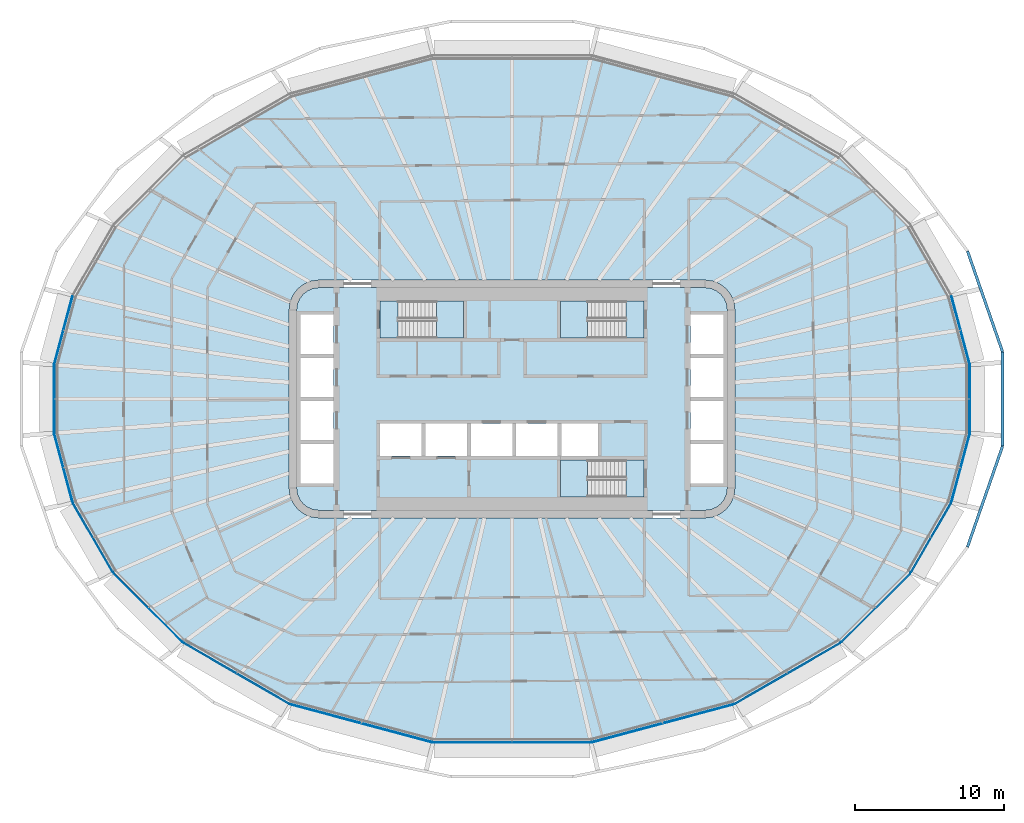
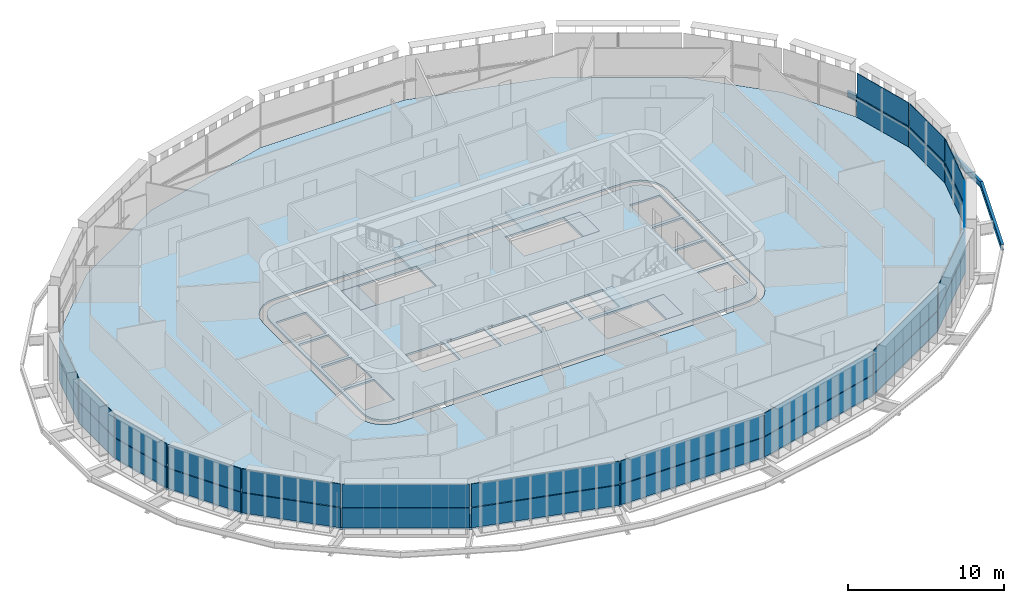
# One storey, part 9 of 22: 30 plates, 8 slabs, 3 beams, 18 elements without a shape of their own.
"""IFC4 building model written with IfcOpenShell, lengths in metres."""

import ifcopenshell
import ifcopenshell.guid

model = None  # the IFC model being written
_history = None  # IfcOwnerHistory: only IFC2X3 demands one
_inside = {}  # id of a spatial element -> (the spatial element, [elements in it])
_under = {}  # id of a project, library or spatial element -> (it, [spatial elements below it])
_declared = {}  # id of a project -> (the project, [libraries it declares])
_typed = {}  # id of a type object -> (the type object, [elements of that type])
_made_of = {}  # id of a material, layer set ... -> (it, [elements and type objects made of it])


def new_model(schema):
    """Start an empty IFC model of exactly this schema.

    Asked for "IFC4X3", IfcOpenShell would pick the latest addendum, in which some entities
    have other attributes; the version numbers below select the first issue.
    IFC2X3 requires an IfcOwnerHistory on every rooted entity: one is made here for all.
    """
    global model, _history
    if schema == "IFC4X3":
        model = ifcopenshell.file(schema_version=(4, 3, 0, 0))
    else:
        model = ifcopenshell.file(schema=schema)
    _inside.clear()
    _under.clear()
    _declared.clear()
    _typed.clear()
    _made_of.clear()
    _history = None
    if model.schema == "IFC2X3":
        org = make("IfcOrganization", Name="unknown")
        user = make(
            "IfcPersonAndOrganization",
            ThePerson=make("IfcPerson", FamilyName="unknown"),
            TheOrganization=org,
        )
        app = make(
            "IfcApplication",
            ApplicationDeveloper=org,
            Version="unknown",
            ApplicationFullName="unknown",
            ApplicationIdentifier="unknown",
        )
        _history = make(
            "IfcOwnerHistory",
            OwningUser=user,
            OwningApplication=app,
            ChangeAction="ADDED",
            CreationDate=0,
        )
    return model


def make(cls, **values):
    """One entity of the class cls with the attributes given. An attribute that is None is left unset."""
    return model.create_entity(
        cls, **{name: value for name, value in values.items() if value is not None}
    )


def rooted(cls, **values):
    """An entity with a GlobalId (a new one), such as an element, a storey or a relation."""
    return make(cls, GlobalId=ifcopenshell.guid.new(), OwnerHistory=_history, **values)


def si_unit(unit_type, name, prefix=None):
    """IfcSIUnit, for example si_unit("LENGTHUNIT", "METRE", prefix="MILLI")."""
    return make("IfcSIUnit", UnitType=unit_type, Prefix=prefix, Name=name)


def assignment(units):
    """IfcUnitAssignment: the units of a project."""
    return None if units is None else make("IfcUnitAssignment", Units=units)


def point(xyz):
    """IfcCartesianPoint."""
    return None if xyz is None else make("IfcCartesianPoint", Coordinates=xyz)


def direction(xyz):
    """IfcDirection."""
    return None if xyz is None else make("IfcDirection", DirectionRatios=xyz)


def frame(location, z_axis=None, x_axis=None):
    """IfcAxis2Placement3D, a coordinate frame: its origin and axes. An axis left out is left unset."""
    return make(
        "IfcAxis2Placement3D",
        Location=point(location),
        Axis=direction(z_axis),
        RefDirection=direction(x_axis),
    )


def frame_2d(location, x_axis=None):
    """IfcAxis2Placement2D, a coordinate frame in the plane: its origin and x axis."""
    return make(
        "IfcAxis2Placement2D", Location=point(location), RefDirection=direction(x_axis)
    )


def origin():
    """The frame at (0, 0, 0) with its axes left unset."""
    return frame((0.0, 0.0, 0.0))


def origin_2d():
    """The frame at (0, 0) in the plane with its x axis left unset."""
    return frame_2d((0.0, 0.0))


def place(relative_to, where):
    """IfcLocalPlacement: puts the frame where relative to a parent placement (None: the world)."""
    return make(
        "IfcLocalPlacement", PlacementRelTo=relative_to, RelativePlacement=where
    )


def context(
    kind, dimensions, precision=None, world=None, true_north=None, identifier=None
):
    """IfcGeometricRepresentationContext, for example the 3D "Model" context."""
    return make(
        "IfcGeometricRepresentationContext",
        ContextIdentifier=identifier,
        ContextType=kind,
        CoordinateSpaceDimension=dimensions,
        Precision=precision,
        WorldCoordinateSystem=world,
        TrueNorth=true_north,
    )


def subcontext(parent, identifier, kind, view, scale=None):
    """IfcGeometricRepresentationSubContext, for example "Body" below "Model"."""
    return make(
        "IfcGeometricRepresentationSubContext",
        ContextIdentifier=identifier,
        ContextType=kind,
        ParentContext=parent,
        TargetScale=scale,
        TargetView=view,
    )


def project(units=None, contexts=None):
    """IfcProject with its units and contexts."""
    return rooted(
        "IfcProject",
        Name="project",
        RepresentationContexts=contexts,
        UnitsInContext=assignment(units),
    )


def spatial(cls, under=None, at=None, **own):
    """A site, building, storey or space (cls), placed at a placement, below another one or the project."""
    s = rooted(cls, ObjectPlacement=at, **own)
    if under is not None:
        _under.setdefault(under.id(), (under, []))[1].append(s)
    return s


def polyline(points):
    """IfcPolyline through the points."""
    return make("IfcPolyline", Points=[point(p) for p in points])


def profile(cls, at=None, kind="AREA", **sizes):
    """A parametric profile (cls). Its sizes go by their IFC names, for example OverallWidth=200.0."""
    return make(cls, ProfileType=kind, Position=at, **sizes)


def i_section(**sizes):
    """IfcIShapeProfileDef."""
    return profile("IfcIShapeProfileDef", **sizes)


def outline(outer, holes=None, kind="AREA"):
    """IfcArbitraryClosedProfileDef: a profile drawn as a closed curve; with holes, ...WithVoids."""
    if holes is None:
        return make("IfcArbitraryClosedProfileDef", ProfileType=kind, OuterCurve=outer)
    return make(
        "IfcArbitraryProfileDefWithVoids",
        ProfileType=kind,
        OuterCurve=outer,
        InnerCurves=holes,
    )


def extrude(swept, where, along, depth):
    """IfcExtrudedAreaSolid: the profile swept, set in the frame where, extruded along a direction by depth."""
    return make(
        "IfcExtrudedAreaSolid",
        SweptArea=swept,
        Position=where,
        ExtrudedDirection=direction(along),
        Depth=depth,
    )


def shape(context_of_items, identifier, shape_type, items):
    """IfcShapeRepresentation: the items that make up one representation, for example the "Body"."""
    return make(
        "IfcShapeRepresentation",
        ContextOfItems=context_of_items,
        RepresentationIdentifier=identifier,
        RepresentationType=shape_type,
        Items=items,
    )


def material(Name=None, Category=None):
    """IfcMaterial."""
    return make("IfcMaterial", Name=Name, Category=Category)


def layer(
    of_material, thickness, ventilated=None, Name=None, Category=None, Priority=None
):
    """IfcMaterialLayer: one layer of a wall or slab, of a material (None: an air gap)."""
    return make(
        "IfcMaterialLayer",
        Material=of_material,
        LayerThickness=thickness,
        IsVentilated=ventilated,
        Name=Name,
        Category=Category,
        Priority=Priority,
    )


def layer_set(layers, Name=None):
    """IfcMaterialLayerSet."""
    return make("IfcMaterialLayerSet", MaterialLayers=layers, LayerSetName=Name)


def material_profile(
    of_material, cross_section, Name=None, Category=None, Priority=None
):
    """IfcMaterialProfile: a cross section and its material."""
    return make(
        "IfcMaterialProfile",
        Name=Name,
        Material=of_material,
        Profile=cross_section,
        Priority=Priority,
        Category=Category,
    )


def profile_set(profiles, Name=None, composite=None):
    """IfcMaterialProfileSet."""
    return make(
        "IfcMaterialProfileSet",
        Name=Name,
        MaterialProfiles=profiles,
        CompositeProfile=composite,
    )


def made_of(thing, what):
    """Note that an element or type object is made of a material, layer set ...; save() writes the relation."""
    if what is not None:
        _made_of.setdefault(what.id(), (what, []))[1].append(thing)
    return thing


def type_object(cls, material=None, **own):
    """A type object (cls), such as IfcWallType, which elements share."""
    return made_of(rooted(cls, **own), material)


def element(
    cls,
    number,
    at=None,
    inside=None,
    cuts=None,
    type_object=None,
    material=None,
    context=None,
    identifier="Body",
    shape_type=None,
    held_by="IfcProductDefinitionShape",
    body=None,
    shapes=None,
    **own,
):
    """One element of the class cls, such as IfcWall. Its Tag is "e" and its number.

    at: its placement. inside: the storey or other place that contains it. cuts: it is an
    opening in that element (IfcRelVoidsElement). A single representation is given by context,
    identifier, shape_type and body (its items); several are given by shapes. held_by: the class
    of the entity that holds the representations. save() writes the other relations.
    """
    e = rooted(cls, Tag="e%d" % number, ObjectPlacement=at, **own)
    if body is not None:
        shapes = [shape(context, identifier, shape_type, body)]
    if shapes is not None:
        e.Representation = make(held_by, Representations=shapes)
    if inside is not None:
        _inside.setdefault(inside.id(), (inside, []))[1].append(e)
    if cuts is not None:
        rooted(
            "IfcRelVoidsElement", RelatingBuildingElement=cuts, RelatedOpeningElement=e
        )
    if type_object is not None:
        _typed.setdefault(type_object.id(), (type_object, []))[1].append(e)
    return made_of(e, material)


def aggregate(whole, parts):
    """IfcRelAggregates: a whole, such as a stair, and the parts it consists of."""
    return rooted("IfcRelAggregates", RelatingObject=whole, RelatedObjects=parts)


def save(model, path):
    """Write the relations noted so far, then the file.

    IfcRelAggregates (storeys below a building ...), IfcRelContainedInSpatialStructure (elements
    in a storey), IfcRelDefinesByType, IfcRelAssociatesMaterial and IfcRelDeclares: one each for
    every whole, place, type object, material and project.
    """
    for whole, parts in _under.values():
        aggregate(whole, parts)
    for where, things in _inside.values():
        rooted(
            "IfcRelContainedInSpatialStructure",
            RelatedElements=things,
            RelatingStructure=where,
        )
    for kind, things in _typed.values():
        rooted("IfcRelDefinesByType", RelatedObjects=things, RelatingType=kind)
    for what, things in _made_of.values():
        rooted("IfcRelAssociatesMaterial", RelatedObjects=things, RelatingMaterial=what)
    for by, libraries in _declared.values():
        rooted("IfcRelDeclares", RelatingContext=by, RelatedDefinitions=libraries)
    model.write(path)


model = new_model("IFC4")

# Units and contexts
model_context = context("Model", 3, precision=1e-05, world=origin(), true_north=direction((0.0, 1.0)))
body_context = subcontext(model_context, "Body", "Model", "MODEL_VIEW")
ifc_project = project(units=[si_unit("LENGTHUNIT", "METRE"), si_unit("AREAUNIT", "SQUARE_METRE"), si_unit("VOLUMEUNIT", "CUBIC_METRE"), si_unit("PLANEANGLEUNIT", "RADIAN"), si_unit("MASSUNIT", "GRAM", prefix="KILO")], contexts=[model_context])

# Site, building, storey
site_placement = place(None, origin())
site = spatial("IfcSite", under=ifc_project, at=site_placement, CompositionType="ELEMENT")
building_placement = place(site_placement, origin())
building = spatial("IfcBuilding", under=site, at=building_placement, Name="Sahrelin Media Tower", CompositionType="ELEMENT")
storey_placement = place(building_placement, frame((0.0, 0.0, 189.60009765625)))
storey = spatial("IfcBuildingStorey", under=building, at=storey_placement, Name="L40", CompositionType="ELEMENT", Elevation=189.60009765625)

# Beams
ifc_material_1 = material(Name="Steel S355", Category="steel")
ifc_material_profile = material_profile(ifc_material_1, i_section(OverallWidth=0.1904296875, OverallDepth=0.45703125, WebThickness=0.009033203125, FlangeThickness=0.014404296875, FilletRadius=0.01025390625, at=origin_2d()), Name="UB 457x191x74")
ifc_profile_set = profile_set([ifc_material_profile], Name="Steel S355")
beam_type = type_object("IfcBeamType", Name="Tie chord TC5", PredefinedType="BEAM", material=ifc_profile_set)
for number, where, z_axis, x_axis, name in (
    (1, (33.01806640625, 3.172119140625, -0.378662109375), (-0.32877488507, 0.944408320033, 0.0), (-0.944408320033, -0.32877488507, 0.0), "Tie chord L40-01"),
    (2, (30.655029296875, -9.9599609375, -0.378662109375), (0.32877488507, 0.944408320033, 0.0), (-0.944408320033, 0.32877488507, 0.0), "Tie chord L40-23"),
):
    element("IfcBeam", number, at=place(storey_placement, frame(where, z_axis=z_axis, x_axis=x_axis)), inside=storey, type_object=beam_type, Name=name, PredefinedType="BEAM", context=body_context, shape_type="SweptSolid", body=[
        extrude(i_section(OverallWidth=0.1904296875, OverallDepth=0.45703125, WebThickness=0.009033203125, FlangeThickness=0.014404296875, FilletRadius=0.01025390625, at=origin_2d()), origin(), (0.0, 0.0, 1.0), 7.1875),
    ])
beam_placement = place(storey_placement, frame((33.01806640625, -3.172119140625, -0.378662109375), z_axis=(0.0, 1.0, 0.0), x_axis=(-1.0, 0.0, 0.0)))
element("IfcBeam", 3, at=beam_placement, inside=storey, type_object=beam_type, Name="Tie chord L40-24", PredefinedType="BEAM", context=body_context, shape_type="SweptSolid", body=[
    extrude(i_section(OverallWidth=0.1904296875, OverallDepth=0.45703125, WebThickness=0.009033203125, FlangeThickness=0.014404296875, FilletRadius=0.01025390625, at=origin_2d()), origin(), (0.0, 0.0, 1.0), 6.34423828125),
])

# Slabs
ifc_material_2 = material(Name="Concrete C40/50", Category="concrete")
ifc_layer_1 = layer(ifc_material_2, 0.14990234375)
ifc_layer_set_1 = layer_set([ifc_layer_1], Name="Composite floor slab 150")
slab_type_1 = type_object("IfcSlabType", Name="Composite floor slab 150", PredefinedType="FLOOR", material=ifc_layer_set_1)
placement_1 = place(storey_placement, frame((0.0, 0.0, -0.150146484375)))
element("IfcSlab", 4, at=placement_1, inside=storey, type_object=slab_type_1, Name="Floor slab L40", PredefinedType="FLOOR", context=body_context, shape_type="SweptSolid", body=[
    extrude(outline(polyline([(30.807373046875, -2.29931640625), (30.807373046875, 2.29931640625), (29.5625, 6.94482421875), (26.82568359375, 11.685302734375), (22.12158203125, 16.38916015625), (14.939208984375, 20.535888671875), (5.3369140625, 23.10888671875), (-5.3369140625, 23.10888671875), (-14.939208984375, 20.535888671875), (-22.12158203125, 16.38916015625), (-26.82568359375, 11.685302734375), (-29.5625, 6.94482421875), (-30.807373046875, 2.29931640625), (-30.807373046875, -2.29931640625), (-29.5625, -6.94482421875), (-26.82568359375, -11.685302734375), (-22.12158203125, -16.38916015625), (-14.939208984375, -20.535888671875), (-5.3369140625, -23.10888671875), (5.3369140625, -23.10888671875), (14.939208984375, -20.535888671875), (22.12158203125, -16.38916015625), (26.82568359375, -11.685302734375), (29.5625, -6.94482421875), (30.807373046875, -2.29931640625)]), holes=[polyline([(14.931884765625, 6.517578125), (15.0, 6.0), (15.0, -6.0), (14.931884765625, -6.517578125), (14.732177734375, -7.0), (14.414306640625, -7.414306640625), (14.0, -7.732177734375), (13.517578125, -7.931884765625), (13.0, -8.0), (-13.0, -8.0), (-13.517578125, -7.931884765625), (-14.0, -7.732177734375), (-14.414306640625, -7.414306640625), (-14.732177734375, -7.0), (-14.931884765625, -6.517578125), (-15.0, -6.0), (-15.0, 6.0), (-14.931884765625, 6.517578125), (-14.732177734375, 7.0), (-14.414306640625, 7.414306640625), (-14.0, 7.732177734375), (-13.517578125, 7.931884765625), (-13.0, 8.0), (13.0, 8.0), (13.517578125, 7.931884765625), (14.0, 7.732177734375), (14.414306640625, 7.414306640625), (14.732177734375, 7.0), (14.931884765625, 6.517578125)])]), origin(), (0.0, 0.0, 1.0), 0.150146484375),
])
ifc_layer_2 = layer(ifc_material_2, 0.14990234375)
ifc_layer_set_2 = layer_set([ifc_layer_2], Name="Core floor slab 150")
slab_type_2 = type_object("IfcSlabType", Name="Core floor slab 150", PredefinedType="FLOOR", material=ifc_layer_set_2)
element("IfcSlab", 5, at=placement_1, inside=storey, type_object=slab_type_2, Name="Core floor", PredefinedType="FLOOR", context=body_context, shape_type="SweptSolid", body=[
    extrude(outline(polyline([(-14.44482421875, 6.38720703125), (-14.5, 5.96728515625), (-14.5, -5.96728515625), (-14.44482421875, -6.38720703125), (-14.29541015625, -6.747802734375), (-14.0576171875, -7.0576171875), (-13.747802734375, -7.29541015625), (-13.38720703125, -7.44482421875), (-12.96728515625, -7.5), (12.96728515625, -7.5), (13.38720703125, -7.44482421875), (13.747802734375, -7.29541015625), (14.0576171875, -7.0576171875), (14.29541015625, -6.747802734375), (14.44482421875, -6.38720703125), (14.5, -5.96728515625), (14.5, 5.96728515625), (14.44482421875, 6.38720703125), (14.29541015625, 6.747802734375), (14.0576171875, 7.0576171875), (13.747802734375, 7.29541015625), (13.38720703125, 7.44482421875), (12.96728515625, 7.5), (-12.96728515625, 7.5), (-13.38720703125, 7.44482421875), (-13.747802734375, 7.29541015625), (-14.0576171875, 7.0576171875), (-14.29541015625, 6.747802734375), (-14.44482421875, 6.38720703125)]), holes=[polyline([(-12.0, 3.02490234375), (-12.0, 5.675048828125), (-14.25, 5.675048828125), (-14.25, 3.02490234375), (-12.0, 3.02490234375)]), polyline([(-14.25, 0.125), (-12.0, 0.125), (-12.0, 2.77490234375), (-14.25, 2.77490234375), (-14.25, 0.125)]), polyline([(-14.25, -0.125), (-14.25, -2.77490234375), (-12.0, -2.77490234375), (-12.0, -0.125), (-14.25, -0.125)]), polyline([(-12.0, -3.02490234375), (-14.25, -3.02490234375), (-14.25, -5.675048828125), (-12.0, -5.675048828125), (-12.0, -3.02490234375)]), polyline([(14.25, 3.02490234375), (14.25, 5.675048828125), (12.0, 5.675048828125), (12.0, 3.02490234375), (14.25, 3.02490234375)]), polyline([(12.0, 0.125), (14.25, 0.125), (14.25, 2.77490234375), (12.0, 2.77490234375), (12.0, 0.125)]), polyline([(12.0, -0.125), (12.0, -2.77490234375), (14.25, -2.77490234375), (14.25, -0.125), (12.0, -0.125)]), polyline([(14.25, -3.02490234375), (12.0, -3.02490234375), (12.0, -5.675048828125), (14.25, -5.675048828125), (14.25, -3.02490234375)]), polyline([(-6.074951171875, -3.85009765625), (-6.074951171875, -1.64990234375), (-8.875, -1.64990234375), (-8.875, -3.85009765625), (-6.074951171875, -3.85009765625)]), polyline([(-5.824951171875, -3.85009765625), (-3.02490234375, -3.85009765625), (-3.02490234375, -1.64990234375), (-5.824951171875, -1.64990234375), (-5.824951171875, -3.85009765625)]), polyline([(-2.77490234375, -1.64990234375), (-2.77490234375, -3.85009765625), (0.02490234375, -3.85009765625), (0.02490234375, -1.64990234375), (-2.77490234375, -1.64990234375)]), polyline([(3.074951171875, -1.64990234375), (0.27490234375, -1.64990234375), (0.27490234375, -3.85009765625), (3.074951171875, -3.85009765625), (3.074951171875, -1.64990234375)]), polyline([(5.77490234375, -3.85009765625), (5.77490234375, -1.64990234375), (3.324951171875, -1.64990234375), (3.324951171875, -3.85009765625), (5.77490234375, -3.85009765625)]), polyline([(-8.875, 6.60009765625), (-8.875, 4.10009765625), (-3.27490234375, 4.10009765625), (-3.27490234375, 6.60009765625), (-8.875, 6.60009765625)]), polyline([(3.27490234375, 4.10009765625), (8.875, 4.10009765625), (8.875, 6.60009765625), (3.27490234375, 6.60009765625), (3.27490234375, 4.10009765625)]), polyline([(3.27490234375, -4.10009765625), (3.27490234375, -6.60009765625), (8.875, -6.60009765625), (8.875, -4.10009765625), (3.27490234375, -4.10009765625)])]), origin(), (0.0, 0.0, 1.0), 0.150146484375),
])

# Curtain wall, plate
ifc_material_3 = material(Name="Champagne anodised aluminium 6063-T6", Category="aluminium")
ifc_layer_3 = layer(ifc_material_3, 0.14990234375)
ifc_layer_set_3 = layer_set([ifc_layer_3], Name="Tower ribbon curtain wall")
curtain_wall_type = type_object("IfcCurtainWallType", Name="Tower ribbon curtain wall", PredefinedType="NOTDEFINED", material=ifc_layer_set_3)
curtain_wall_1_placement = place(storey_placement, frame((30.827392578125, 0.0, 0.0), z_axis=(0.0, 0.0, 1.0), x_axis=(1.0, 0.0, 0.0)))
curtain_wall_1 = element("IfcCurtainWall", 6, at=curtain_wall_1_placement, inside=storey, type_object=curtain_wall_type, Name="L40:CW:L40-00", PredefinedType="NOTDEFINED")
ifc_material_4 = material(Name="Clear low-iron glazing", Category="glass")
ifc_layer_4 = layer(ifc_material_4, 0.0439453125)
ifc_layer_set_4 = layer_set([ifc_layer_4], Name="Glazing panel 44 mm CW1B")
plate_type_1 = type_object("IfcPlateType", Name="Glazing panel 44 mm CW1B", PredefinedType="CURTAIN_PANEL", material=ifc_layer_set_4)
plate_1_placement = place(storey_placement, frame((30.847412109375, -2.251708984375, 1.6298828125), z_axis=(1.0, 0.0, 0.0), x_axis=(0.0, 1.0, 0.0)))
plate_1 = element("IfcPlate", 7, at=plate_1_placement, type_object=plate_type_1, Name="L40:CWP2:L40-00", PredefinedType="CURTAIN_PANEL", context=body_context, shape_type="SweptSolid", body=[
    extrude(outline(polyline([(0.0, 0.0), (4.50341796875, 0.0), (4.50341796875, 1.818603515625), (0.0, 1.818603515625), (0.0, 0.0)])), origin(), (0.0, 0.0, -1.0), 0.0439453125),
])

curtain_wall_2_placement = place(storey_placement, frame((30.2041015625, 4.627197265625, 0.0), z_axis=(0.0, 0.0, 1.0), x_axis=(1.0, 0.0, 0.0)))
curtain_wall_2 = element("IfcCurtainWall", 8, at=curtain_wall_2_placement, inside=storey, type_object=curtain_wall_type, Name="L40:CW:L40-01", PredefinedType="NOTDEFINED")
plate_2_placement = place(storey_placement, frame((30.833740234375, 2.355224609375, 1.6298828125), z_axis=(0.96591707785, 0.258851692515, 0.0), x_axis=(-0.258851692515, 0.96591707785, 0.0)))
plate_2 = element("IfcPlate", 9, at=plate_2_placement, type_object=plate_type_1, Name="L40:CWP2:L40-01", PredefinedType="CURTAIN_PANEL", context=body_context, shape_type="SweptSolid", body=[
    extrude(outline(polyline([(0.0, 0.0), (4.71484375, 0.0), (4.71484375, 1.818603515625), (0.0, 1.818603515625), (0.0, 0.0)])), origin(), (0.0, 0.0, -1.0), 0.0439453125),
])

curtain_wall_3_placement = place(storey_placement, frame((-30.2041015625, 4.627197265625, 0.0), z_axis=(0.0, 0.0, 1.0), x_axis=(1.0, 0.0, 0.0)))
curtain_wall_3 = element("IfcCurtainWall", 10, at=curtain_wall_3_placement, inside=storey, type_object=curtain_wall_type, Name="L40:CW:L40-11", PredefinedType="NOTDEFINED")
plate_3_placement = place(storey_placement, frame((-29.61328125, 6.909423828125, 1.6298828125), z_axis=(-0.96591707785, 0.258851692515, 0.0), x_axis=(-0.258851692515, -0.96591707785, 0.0)))
plate_3 = element("IfcPlate", 11, at=plate_3_placement, type_object=plate_type_1, Name="L40:CWP2:L40-11", PredefinedType="CURTAIN_PANEL", context=body_context, shape_type="SweptSolid", body=[
    extrude(outline(polyline([(0.0, 0.0), (4.71484375, 0.0), (4.71484375, 1.818603515625), (0.0, 1.818603515625), (0.0, 0.0)])), origin(), (0.0, 0.0, -1.0), 0.0439453125),
])

curtain_wall_4_placement = place(storey_placement, frame((-30.827392578125, 0.0, 0.0), z_axis=(0.0, 0.0, 1.0), x_axis=(1.0, 0.0, 0.0)))
curtain_wall_4 = element("IfcCurtainWall", 12, at=curtain_wall_4_placement, inside=storey, type_object=curtain_wall_type, Name="L40:CW:L40-12", PredefinedType="NOTDEFINED")
plate_4_placement = place(storey_placement, frame((-30.847412109375, 2.251708984375, 1.6298828125), z_axis=(-1.0, 0.0, 0.0), x_axis=(0.0, -1.0, 0.0)))
plate_4 = element("IfcPlate", 13, at=plate_4_placement, type_object=plate_type_1, Name="L40:CWP2:L40-12", PredefinedType="CURTAIN_PANEL", context=body_context, shape_type="SweptSolid", body=[
    extrude(outline(polyline([(0.0, 0.0), (4.50341796875, 0.0), (4.50341796875, 1.818603515625), (0.0, 1.818603515625), (0.0, 0.0)])), origin(), (0.0, 0.0, -1.0), 0.0439453125),
])

curtain_wall_5_placement = place(storey_placement, frame((-30.2041015625, -4.627197265625, 0.0), z_axis=(0.0, 0.0, 1.0), x_axis=(1.0, 0.0, 0.0)))
curtain_wall_5 = element("IfcCurtainWall", 14, at=curtain_wall_5_placement, inside=storey, type_object=curtain_wall_type, Name="L40:CW:L40-13", PredefinedType="NOTDEFINED")
plate_5_placement = place(storey_placement, frame((-30.833740234375, -2.355224609375, 1.6298828125), z_axis=(-0.96591707785, -0.258851692515, 0.0), x_axis=(0.258851692515, -0.96591707785, 0.0)))
plate_5 = element("IfcPlate", 15, at=plate_5_placement, type_object=plate_type_1, Name="L40:CWP2:L40-13", PredefinedType="CURTAIN_PANEL", context=body_context, shape_type="SweptSolid", body=[
    extrude(outline(polyline([(0.0, 0.0), (4.71484375, 0.0), (4.71484375, 1.818603515625), (0.0, 1.818603515625), (0.0, 0.0)])), origin(), (0.0, 0.0, -1.0), 0.0439453125),
])

curtain_wall_6_placement = place(storey_placement, frame((-28.211181640625, -9.324951171875, 0.0), z_axis=(0.0, 0.0, 1.0), x_axis=(1.0, 0.0, 0.0)))
curtain_wall_6 = element("IfcCurtainWall", 16, at=curtain_wall_6_placement, inside=storey, type_object=curtain_wall_type, Name="L40:CW:L40-14", PredefinedType="NOTDEFINED")
plate_6_placement = place(storey_placement, frame((-29.573486328125, -7.005859375, 1.6298828125), z_axis=(-0.866014014495, -0.500019726309, 0.0), x_axis=(0.500019726309, -0.866014014495, 0.0)))
plate_6 = element("IfcPlate", 17, at=plate_6_placement, type_object=plate_type_1, Name="L40:CWP2:L40-14", PredefinedType="CURTAIN_PANEL", context=body_context, shape_type="SweptSolid", body=[
    extrude(outline(polyline([(0.0, 0.0), (5.379150390625, 0.0), (5.379150390625, 1.818603515625), (0.0, 1.818603515625), (0.0, 0.0)])), origin(), (0.0, 0.0, -1.0), 0.0439453125),
])

curtain_wall_7_placement = place(storey_placement, frame((-24.48779296875, -14.05126953125, 0.0), z_axis=(0.0, 0.0, 1.0), x_axis=(1.0, 0.0, 0.0)))
curtain_wall_7 = element("IfcCurtainWall", 18, at=curtain_wall_7_placement, inside=storey, type_object=curtain_wall_type, Name="L40:CW:L40-15", PredefinedType="NOTDEFINED")
plate_7_placement = place(storey_placement, frame((-26.8203125, -11.7470703125, 1.6298828125), z_axis=(-0.707106781187, -0.707106781187, 0.0), x_axis=(0.707106781187, -0.707106781187, 0.0)))
plate_7 = element("IfcPlate", 19, at=plate_7_placement, type_object=plate_type_1, Name="L40:CWP2:L40-15", PredefinedType="CURTAIN_PANEL", context=body_context, shape_type="SweptSolid", body=[
    extrude(outline(polyline([(0.0, 0.0), (6.557373046875, 0.0), (6.557373046875, 1.818603515625), (0.0, 1.818603515625), (0.0, 0.0)])), origin(), (0.0, 0.0, -1.0), 0.0439453125),
])

curtain_wall_8_placement = place(storey_placement, frame((-18.540283203125, -18.479736328125, 0.0), z_axis=(0.0, 0.0, 1.0), x_axis=(1.0, 0.0, 0.0)))
curtain_wall_8 = element("IfcCurtainWall", 20, at=curtain_wall_8_placement, inside=storey, type_object=curtain_wall_type, Name="L40:CW:L40-16", PredefinedType="NOTDEFINED")
plate_8_placement = place(storey_placement, frame((-22.1005859375, -16.447509765625, 1.6298828125), z_axis=(-0.499998260706, -0.866026407964, 0.0), x_axis=(0.866026407964, -0.499998260706, 0.0)))
plate_8 = element("IfcPlate", 21, at=plate_8_placement, type_object=plate_type_1, Name="L40:CWP2:L40-16", PredefinedType="CURTAIN_PANEL", context=body_context, shape_type="SweptSolid", body=[
    extrude(outline(polyline([(0.0, 0.0), (8.19873046875, 0.0), (8.19873046875, 1.818603515625), (0.0, 1.818603515625), (0.0, 0.0)])), origin(), (0.0, 0.0, -1.0), 0.0439453125),
])

curtain_wall_9_placement = place(storey_placement, frame((-10.143310546875, -21.841796875, 0.0), z_axis=(0.0, 0.0, 1.0), x_axis=(1.0, 0.0, 0.0)))
curtain_wall_9 = element("IfcCurtainWall", 22, at=curtain_wall_9_placement, inside=storey, type_object=curtain_wall_type, Name="L40:CW:L40-17", PredefinedType="NOTDEFINED")
plate_9_placement = place(storey_placement, frame((-14.90380859375, -20.5869140625, 1.6298828125), z_axis=(-0.258813753336, -0.965927244198, 0.0), x_axis=(0.965927244198, -0.258813753336, 0.0)))
plate_9 = element("IfcPlate", 23, at=plate_9_placement, type_object=plate_type_1, Name="L40:CWP2:L40-17", PredefinedType="CURTAIN_PANEL", context=body_context, shape_type="SweptSolid", body=[
    extrude(outline(polyline([(0.0, 0.0), (9.84619140625, 0.0), (9.84619140625, 1.818603515625), (0.0, 1.818603515625), (0.0, 0.0)])), origin(), (0.0, 0.0, -1.0), 0.0439453125),
])

curtain_wall_10_placement = place(storey_placement, frame((0.0, -23.12890625, 0.0), z_axis=(0.0, 0.0, 1.0), x_axis=(1.0, 0.0, 0.0)))
curtain_wall_10 = element("IfcCurtainWall", 24, at=curtain_wall_10_placement, inside=storey, type_object=curtain_wall_type, Name="L40:CW:L40-18", PredefinedType="NOTDEFINED")
plate_10_placement = place(storey_placement, frame((-5.28955078125, -23.14892578125, 1.6298828125), z_axis=(0.0, -1.0, 0.0), x_axis=(1.0, 0.0, 0.0)))
plate_10 = element("IfcPlate", 25, at=plate_10_placement, type_object=plate_type_1, Name="L40:CWP2:L40-18", PredefinedType="CURTAIN_PANEL", context=body_context, shape_type="SweptSolid", body=[
    extrude(outline(polyline([(0.0, 0.0), (10.5791015625, 0.0), (10.5791015625, 1.818603515625), (0.0, 1.818603515625), (0.0, 0.0)])), origin(), (0.0, 0.0, -1.0), 0.0439453125),
])

curtain_wall_11_placement = place(storey_placement, frame((10.143310546875, -21.841796875, 0.0), z_axis=(0.0, 0.0, 1.0), x_axis=(1.0, 0.0, 0.0)))
curtain_wall_11 = element("IfcCurtainWall", 26, at=curtain_wall_11_placement, inside=storey, type_object=curtain_wall_type, Name="L40:CW:L40-19", PredefinedType="NOTDEFINED")
plate_11_placement = place(storey_placement, frame((5.39306640625, -23.13525390625, 1.6298828125), z_axis=(0.258813753336, -0.965927244198, 0.0), x_axis=(0.965927244198, 0.258813753336, 0.0)))
plate_11 = element("IfcPlate", 27, at=plate_11_placement, type_object=plate_type_1, Name="L40:CWP2:L40-19", PredefinedType="CURTAIN_PANEL", context=body_context, shape_type="SweptSolid", body=[
    extrude(outline(polyline([(0.0, 0.0), (9.84619140625, 0.0), (9.84619140625, 1.818603515625), (0.0, 1.818603515625), (0.0, 0.0)])), origin(), (0.0, 0.0, -1.0), 0.0439453125),
])

curtain_wall_12_placement = place(storey_placement, frame((18.54052734375, -18.47998046875, 0.0), z_axis=(0.0, 0.0, 1.0), x_axis=(1.0, 0.0, 0.0)))
curtain_wall_12 = element("IfcCurtainWall", 28, at=curtain_wall_12_placement, inside=storey, type_object=curtain_wall_type, Name="L40:CW:L40-20", PredefinedType="NOTDEFINED")
plate_12_placement = place(storey_placement, frame((15.000244140625, -20.546875, 1.6298828125), z_axis=(0.499998260706, -0.866026407964, 0.0), x_axis=(0.866026407964, 0.499998260706, 0.0)))
plate_12 = element("IfcPlate", 29, at=plate_12_placement, type_object=plate_type_1, Name="L40:CWP2:L40-20", PredefinedType="CURTAIN_PANEL", context=body_context, shape_type="SweptSolid", body=[
    extrude(outline(polyline([(0.0, 0.0), (8.19873046875, 0.0), (8.19873046875, 1.818603515625), (0.0, 1.818603515625), (0.0, 0.0)])), origin(), (0.0, 0.0, -1.0), 0.0439453125),
])

curtain_wall_13_placement = place(storey_placement, frame((24.48779296875, -14.05126953125, 0.0), z_axis=(0.0, 0.0, 1.0), x_axis=(1.0, 0.0, 0.0)))
curtain_wall_13 = element("IfcCurtainWall", 30, at=curtain_wall_13_placement, inside=storey, type_object=curtain_wall_type, Name="L40:CW:L40-21", PredefinedType="NOTDEFINED")
plate_13_placement = place(storey_placement, frame((22.18359375, -16.3837890625, 1.6298828125), z_axis=(0.707106781187, -0.707106781187, 0.0), x_axis=(0.707106781187, 0.707106781187, 0.0)))
plate_13 = element("IfcPlate", 31, at=plate_13_placement, type_object=plate_type_1, Name="L40:CWP2:L40-21", PredefinedType="CURTAIN_PANEL", context=body_context, shape_type="SweptSolid", body=[
    extrude(outline(polyline([(0.0, 0.0), (6.557373046875, 0.0), (6.557373046875, 1.818603515625), (0.0, 1.818603515625), (0.0, 0.0)])), origin(), (0.0, 0.0, -1.0), 0.0439453125),
])

curtain_wall_14_placement = place(storey_placement, frame((28.21142578125, -9.324951171875, 0.0), z_axis=(0.0, 0.0, 1.0), x_axis=(1.0, 0.0, 0.0)))
curtain_wall_14 = element("IfcCurtainWall", 32, at=curtain_wall_14_placement, inside=storey, type_object=curtain_wall_type, Name="L40:CW:L40-22", PredefinedType="NOTDEFINED")
plate_14_placement = place(storey_placement, frame((26.8837890625, -11.664306640625, 1.6298828125), z_axis=(0.866014014495, -0.500019726309, 0.0), x_axis=(0.500019726309, 0.866014014495, 0.0)))
plate_14 = element("IfcPlate", 33, at=plate_14_placement, type_object=plate_type_1, Name="L40:CWP2:L40-22", PredefinedType="CURTAIN_PANEL", context=body_context, shape_type="SweptSolid", body=[
    extrude(outline(polyline([(0.0, 0.0), (5.379150390625, 0.0), (5.379150390625, 1.818603515625), (0.0, 1.818603515625), (0.0, 0.0)])), origin(), (0.0, 0.0, -1.0), 0.0439453125),
])

curtain_wall_15_placement = place(storey_placement, frame((30.2041015625, -4.627197265625, 0.0), z_axis=(0.0, 0.0, 1.0), x_axis=(1.0, 0.0, 0.0)))
curtain_wall_15 = element("IfcCurtainWall", 34, at=curtain_wall_15_placement, inside=storey, type_object=curtain_wall_type, Name="L40:CW:L40-23", PredefinedType="NOTDEFINED")
plate_15_placement = place(storey_placement, frame((29.61328125, -6.909423828125, 1.6298828125), z_axis=(0.96591707785, -0.258851692515, 0.0), x_axis=(0.258851692515, 0.96591707785, 0.0)))
plate_15 = element("IfcPlate", 35, at=plate_15_placement, type_object=plate_type_1, Name="L40:CWP2:L40-23", PredefinedType="CURTAIN_PANEL", context=body_context, shape_type="SweptSolid", body=[
    extrude(outline(polyline([(0.0, 0.0), (4.71484375, 0.0), (4.71484375, 1.818603515625), (0.0, 1.818603515625), (0.0, 0.0)])), origin(), (0.0, 0.0, -1.0), 0.0439453125),
])

# Plate
ifc_material_5 = material(Name="Insulated spandrel panel")
ifc_layer_5 = layer(ifc_material_5, 0.06005859375)
ifc_layer_set_5 = layer_set([ifc_layer_5], Name="Spandrel panel 60 mm CW1")
plate_type_2 = type_object("IfcPlateType", Name="Spandrel panel 60 mm CW1", PredefinedType="SHEET", material=ifc_layer_set_5)
plate_16_placement = place(storey_placement, frame((30.847412109375, -2.251708984375, 0.0), z_axis=(1.0, 0.0, 0.0), x_axis=(0.0, 1.0, 0.0)))
plate_16 = element("IfcPlate", 36, at=plate_16_placement, type_object=plate_type_2, Name="L40:CWP1:L40-00", PredefinedType="SHEET", context=body_context, shape_type="SweptSolid", body=[
    extrude(outline(polyline([(0.0, 0.0), (4.50341796875, 0.0), (4.50341796875, 1.56982421875), (0.0, 1.56982421875), (0.0, 0.0)])), origin(), (0.0, 0.0, -1.0), 0.06005859375),
])

aggregate(curtain_wall_1, [plate_16, plate_1])

plate_17_placement = place(storey_placement, frame((30.833740234375, 2.355224609375, 0.0), z_axis=(0.96591707785, 0.258851692515, 0.0), x_axis=(-0.258851692515, 0.96591707785, 0.0)))
plate_17 = element("IfcPlate", 37, at=plate_17_placement, type_object=plate_type_2, Name="L40:CWP1:L40-01", PredefinedType="SHEET", context=body_context, shape_type="SweptSolid", body=[
    extrude(outline(polyline([(0.0, 0.0), (4.71484375, 0.0), (4.71484375, 1.56982421875), (0.0, 1.56982421875), (0.0, 0.0)])), origin(), (0.0, 0.0, -1.0), 0.06005859375),
])

aggregate(curtain_wall_2, [plate_17, plate_2])

plate_18_placement = place(storey_placement, frame((-29.61328125, 6.909423828125, 0.0), z_axis=(-0.96591707785, 0.258851692515, 0.0), x_axis=(-0.258851692515, -0.96591707785, 0.0)))
plate_18 = element("IfcPlate", 38, at=plate_18_placement, type_object=plate_type_2, Name="L40:CWP1:L40-11", PredefinedType="SHEET", context=body_context, shape_type="SweptSolid", body=[
    extrude(outline(polyline([(0.0, 0.0), (4.71484375, 0.0), (4.71484375, 1.56982421875), (0.0, 1.56982421875), (0.0, 0.0)])), origin(), (0.0, 0.0, -1.0), 0.06005859375),
])

aggregate(curtain_wall_3, [plate_18, plate_3])

plate_19_placement = place(storey_placement, frame((-30.847412109375, 2.251708984375, 0.0), z_axis=(-1.0, 0.0, 0.0), x_axis=(0.0, -1.0, 0.0)))
plate_19 = element("IfcPlate", 39, at=plate_19_placement, type_object=plate_type_2, Name="L40:CWP1:L40-12", PredefinedType="SHEET", context=body_context, shape_type="SweptSolid", body=[
    extrude(outline(polyline([(0.0, 0.0), (4.50341796875, 0.0), (4.50341796875, 1.56982421875), (0.0, 1.56982421875), (0.0, 0.0)])), origin(), (0.0, 0.0, -1.0), 0.06005859375),
])

aggregate(curtain_wall_4, [plate_19, plate_4])

plate_20_placement = place(storey_placement, frame((-30.833740234375, -2.355224609375, 0.0), z_axis=(-0.96591707785, -0.258851692515, 0.0), x_axis=(0.258851692515, -0.96591707785, 0.0)))
plate_20 = element("IfcPlate", 40, at=plate_20_placement, type_object=plate_type_2, Name="L40:CWP1:L40-13", PredefinedType="SHEET", context=body_context, shape_type="SweptSolid", body=[
    extrude(outline(polyline([(0.0, 0.0), (4.71484375, 0.0), (4.71484375, 1.56982421875), (0.0, 1.56982421875), (0.0, 0.0)])), origin(), (0.0, 0.0, -1.0), 0.06005859375),
])

aggregate(curtain_wall_5, [plate_20, plate_5])

plate_21_placement = place(storey_placement, frame((-29.573486328125, -7.005859375, 0.0), z_axis=(-0.866014014495, -0.500019726309, 0.0), x_axis=(0.500019726309, -0.866014014495, 0.0)))
plate_21 = element("IfcPlate", 41, at=plate_21_placement, type_object=plate_type_2, Name="L40:CWP1:L40-14", PredefinedType="SHEET", context=body_context, shape_type="SweptSolid", body=[
    extrude(outline(polyline([(0.0, 0.0), (5.379150390625, 0.0), (5.379150390625, 1.56982421875), (0.0, 1.56982421875), (0.0, 0.0)])), origin(), (0.0, 0.0, -1.0), 0.06005859375),
])

aggregate(curtain_wall_6, [plate_21, plate_6])

plate_22_placement = place(storey_placement, frame((-26.8203125, -11.7470703125, 0.0), z_axis=(-0.707106781187, -0.707106781187, 0.0), x_axis=(0.707106781187, -0.707106781187, 0.0)))
plate_22 = element("IfcPlate", 42, at=plate_22_placement, type_object=plate_type_2, Name="L40:CWP1:L40-15", PredefinedType="SHEET", context=body_context, shape_type="SweptSolid", body=[
    extrude(outline(polyline([(0.0, 0.0), (6.557373046875, 0.0), (6.557373046875, 1.56982421875), (0.0, 1.56982421875), (0.0, 0.0)])), origin(), (0.0, 0.0, -1.0), 0.06005859375),
])

aggregate(curtain_wall_7, [plate_22, plate_7])

plate_23_placement = place(storey_placement, frame((-22.1005859375, -16.447509765625, 0.0), z_axis=(-0.499998260706, -0.866026407964, 0.0), x_axis=(0.866026407964, -0.499998260706, 0.0)))
plate_23 = element("IfcPlate", 43, at=plate_23_placement, type_object=plate_type_2, Name="L40:CWP1:L40-16", PredefinedType="SHEET", context=body_context, shape_type="SweptSolid", body=[
    extrude(outline(polyline([(0.0, 0.0), (8.19873046875, 0.0), (8.19873046875, 1.56982421875), (0.0, 1.56982421875), (0.0, 0.0)])), origin(), (0.0, 0.0, -1.0), 0.06005859375),
])

aggregate(curtain_wall_8, [plate_23, plate_8])

plate_24_placement = place(storey_placement, frame((-14.90380859375, -20.5869140625, 0.0), z_axis=(-0.258813753336, -0.965927244198, 0.0), x_axis=(0.965927244198, -0.258813753336, 0.0)))
plate_24 = element("IfcPlate", 44, at=plate_24_placement, type_object=plate_type_2, Name="L40:CWP1:L40-17", PredefinedType="SHEET", context=body_context, shape_type="SweptSolid", body=[
    extrude(outline(polyline([(0.0, 0.0), (9.84619140625, 0.0), (9.84619140625, 1.56982421875), (0.0, 1.56982421875), (0.0, 0.0)])), origin(), (0.0, 0.0, -1.0), 0.06005859375),
])

aggregate(curtain_wall_9, [plate_24, plate_9])

plate_25_placement = place(storey_placement, frame((-5.28955078125, -23.14892578125, 0.0), z_axis=(0.0, -1.0, 0.0), x_axis=(1.0, 0.0, 0.0)))
plate_25 = element("IfcPlate", 45, at=plate_25_placement, type_object=plate_type_2, Name="L40:CWP1:L40-18", PredefinedType="SHEET", context=body_context, shape_type="SweptSolid", body=[
    extrude(outline(polyline([(0.0, 0.0), (10.5791015625, 0.0), (10.5791015625, 1.56982421875), (0.0, 1.56982421875), (0.0, 0.0)])), origin(), (0.0, 0.0, -1.0), 0.06005859375),
])

aggregate(curtain_wall_10, [plate_25, plate_10])

plate_26_placement = place(storey_placement, frame((5.39306640625, -23.13525390625, 0.0), z_axis=(0.258813753336, -0.965927244198, 0.0), x_axis=(0.965927244198, 0.258813753336, 0.0)))
plate_26 = element("IfcPlate", 46, at=plate_26_placement, type_object=plate_type_2, Name="L40:CWP1:L40-19", PredefinedType="SHEET", context=body_context, shape_type="SweptSolid", body=[
    extrude(outline(polyline([(0.0, 0.0), (9.84619140625, 0.0), (9.84619140625, 1.56982421875), (0.0, 1.56982421875), (0.0, 0.0)])), origin(), (0.0, 0.0, -1.0), 0.06005859375),
])

aggregate(curtain_wall_11, [plate_26, plate_11])

plate_27_placement = place(storey_placement, frame((15.000244140625, -20.546875, 0.0), z_axis=(0.499998260706, -0.866026407964, 0.0), x_axis=(0.866026407964, 0.499998260706, 0.0)))
plate_27 = element("IfcPlate", 47, at=plate_27_placement, type_object=plate_type_2, Name="L40:CWP1:L40-20", PredefinedType="SHEET", context=body_context, shape_type="SweptSolid", body=[
    extrude(outline(polyline([(0.0, 0.0), (8.19873046875, 0.0), (8.19873046875, 1.56982421875), (0.0, 1.56982421875), (0.0, 0.0)])), origin(), (0.0, 0.0, -1.0), 0.06005859375),
])

aggregate(curtain_wall_12, [plate_27, plate_12])

plate_28_placement = place(storey_placement, frame((22.18359375, -16.3837890625, 0.0), z_axis=(0.707106781187, -0.707106781187, 0.0), x_axis=(0.707106781187, 0.707106781187, 0.0)))
plate_28 = element("IfcPlate", 48, at=plate_28_placement, type_object=plate_type_2, Name="L40:CWP1:L40-21", PredefinedType="SHEET", context=body_context, shape_type="SweptSolid", body=[
    extrude(outline(polyline([(0.0, 0.0), (6.557373046875, 0.0), (6.557373046875, 1.56982421875), (0.0, 1.56982421875), (0.0, 0.0)])), origin(), (0.0, 0.0, -1.0), 0.06005859375),
])

aggregate(curtain_wall_13, [plate_28, plate_13])

plate_29_placement = place(storey_placement, frame((26.8837890625, -11.664306640625, 0.0), z_axis=(0.866014014495, -0.500019726309, 0.0), x_axis=(0.500019726309, 0.866014014495, 0.0)))
plate_29 = element("IfcPlate", 49, at=plate_29_placement, type_object=plate_type_2, Name="L40:CWP1:L40-22", PredefinedType="SHEET", context=body_context, shape_type="SweptSolid", body=[
    extrude(outline(polyline([(0.0, 0.0), (5.379150390625, 0.0), (5.379150390625, 1.56982421875), (0.0, 1.56982421875), (0.0, 0.0)])), origin(), (0.0, 0.0, -1.0), 0.06005859375),
])

aggregate(curtain_wall_14, [plate_29, plate_14])

plate_30_placement = place(storey_placement, frame((29.61328125, -6.909423828125, 0.0), z_axis=(0.96591707785, -0.258851692515, 0.0), x_axis=(0.258851692515, 0.96591707785, 0.0)))
plate_30 = element("IfcPlate", 50, at=plate_30_placement, type_object=plate_type_2, Name="L40:CWP1:L40-23", PredefinedType="SHEET", context=body_context, shape_type="SweptSolid", body=[
    extrude(outline(polyline([(0.0, 0.0), (4.71484375, 0.0), (4.71484375, 1.56982421875), (0.0, 1.56982421875), (0.0, 0.0)])), origin(), (0.0, 0.0, -1.0), 0.06005859375),
])

aggregate(curtain_wall_15, [plate_30, plate_15])

# Stair, slabs
stair_type = type_object("IfcStairType", Name="Exit stair 1200", PredefinedType="HALF_TURN_STAIR", material=ifc_material_2)
placement_2 = place(storey_placement, origin())
stair_1 = element("IfcStair", 51, at=placement_2, inside=storey, type_object=stair_type, Name="L40 Exit stair ST1", PredefinedType="HALF_TURN_STAIR")
ifc_layer_6 = layer(ifc_material_2, 0.199951171875)
ifc_layer_set_6 = layer_set([ifc_layer_6], Name="Stair landing 200")
slab_type_3 = type_object("IfcSlabType", Name="Stair landing 200", PredefinedType="LANDING", material=ifc_layer_set_6)
placement_3 = place(storey_placement, frame((0.0, 0.0, 1.7998046875)))
slab_3 = element("IfcSlab", 52, at=placement_3, type_object=slab_type_3, Name="ST1 landing 1", PredefinedType="LANDING", context=body_context, shape_type="SweptSolid", body=[
    extrude(outline(polyline([(-5.074951171875, 4.10009765625), (-3.27490234375, 4.10009765625), (-3.27490234375, 6.60009765625), (-5.074951171875, 6.60009765625), (-5.074951171875, 4.10009765625)])), origin(), (0.0, 0.0, 1.0), 0.2001953125),
])
placement_4 = place(storey_placement, frame((0.0, 0.0, -0.2001953125)))
slab_4 = element("IfcSlab", 53, at=placement_4, type_object=slab_type_3, Name="ST1 landing 2", PredefinedType="LANDING", context=body_context, shape_type="SweptSolid", body=[
    extrude(outline(polyline([(-8.875, 4.10009765625), (-7.675048828125, 4.10009765625), (-7.675048828125, 6.60009765625), (-8.875, 6.60009765625), (-8.875, 4.10009765625)])), origin(), (0.0, 0.0, 1.0), 0.2001953125),
])
aggregate(stair_1, [slab_3, slab_4])

stair_2 = element("IfcStair", 54, at=placement_2, inside=storey, type_object=stair_type, Name="L40 Exit stair ST3", PredefinedType="HALF_TURN_STAIR")
slab_5 = element("IfcSlab", 55, at=placement_3, type_object=slab_type_3, Name="ST3 landing 1", PredefinedType="LANDING", context=body_context, shape_type="SweptSolid", body=[
    extrude(outline(polyline([(5.074951171875, 6.60009765625), (3.27490234375, 6.60009765625), (3.27490234375, 4.10009765625), (5.074951171875, 4.10009765625), (5.074951171875, 6.60009765625)])), origin(), (0.0, 0.0, 1.0), 0.2001953125),
])
slab_6 = element("IfcSlab", 56, at=placement_4, type_object=slab_type_3, Name="ST3 landing 2", PredefinedType="LANDING", context=body_context, shape_type="SweptSolid", body=[
    extrude(outline(polyline([(8.875, 6.60009765625), (7.675048828125, 6.60009765625), (7.675048828125, 4.10009765625), (8.875, 4.10009765625), (8.875, 6.60009765625)])), origin(), (0.0, 0.0, 1.0), 0.2001953125),
])
aggregate(stair_2, [slab_5, slab_6])

stair_3 = element("IfcStair", 57, at=placement_2, inside=storey, type_object=stair_type, Name="L40 Exit stair ST2", PredefinedType="HALF_TURN_STAIR")
slab_7 = element("IfcSlab", 58, at=placement_3, type_object=slab_type_3, Name="ST2 landing 1", PredefinedType="LANDING", context=body_context, shape_type="SweptSolid", body=[
    extrude(outline(polyline([(5.074951171875, -4.10009765625), (3.27490234375, -4.10009765625), (3.27490234375, -6.60009765625), (5.074951171875, -6.60009765625), (5.074951171875, -4.10009765625)])), origin(), (0.0, 0.0, 1.0), 0.2001953125),
])
slab_8 = element("IfcSlab", 59, at=placement_4, type_object=slab_type_3, Name="ST2 landing 2", PredefinedType="LANDING", context=body_context, shape_type="SweptSolid", body=[
    extrude(outline(polyline([(8.875, -4.10009765625), (7.675048828125, -4.10009765625), (7.675048828125, -6.60009765625), (8.875, -6.60009765625), (8.875, -4.10009765625)])), origin(), (0.0, 0.0, 1.0), 0.2001953125),
])
aggregate(stair_3, [slab_7, slab_8])

save(model, "model.ifc")
